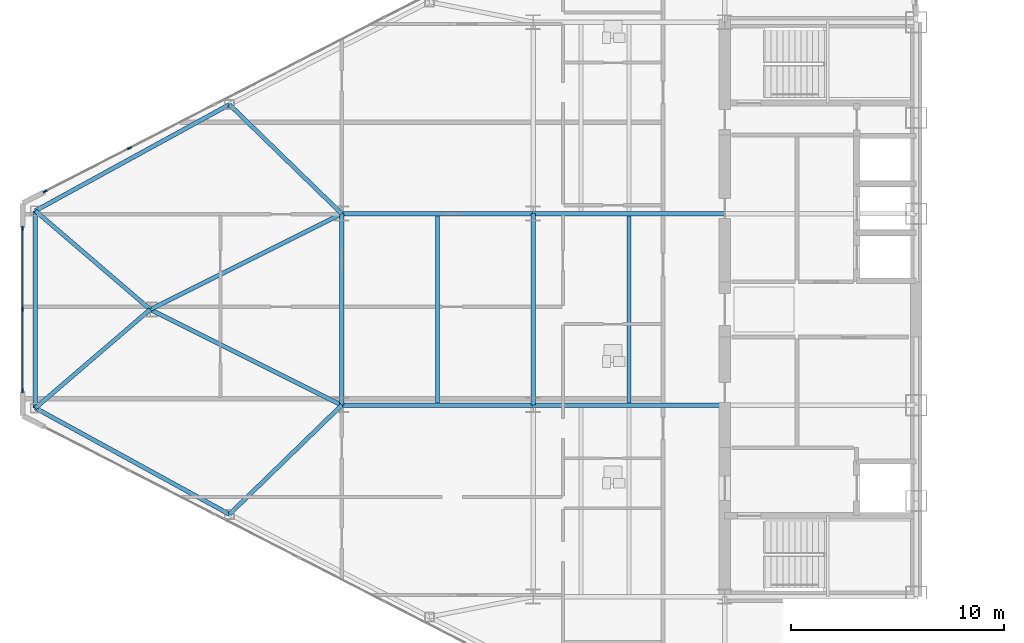
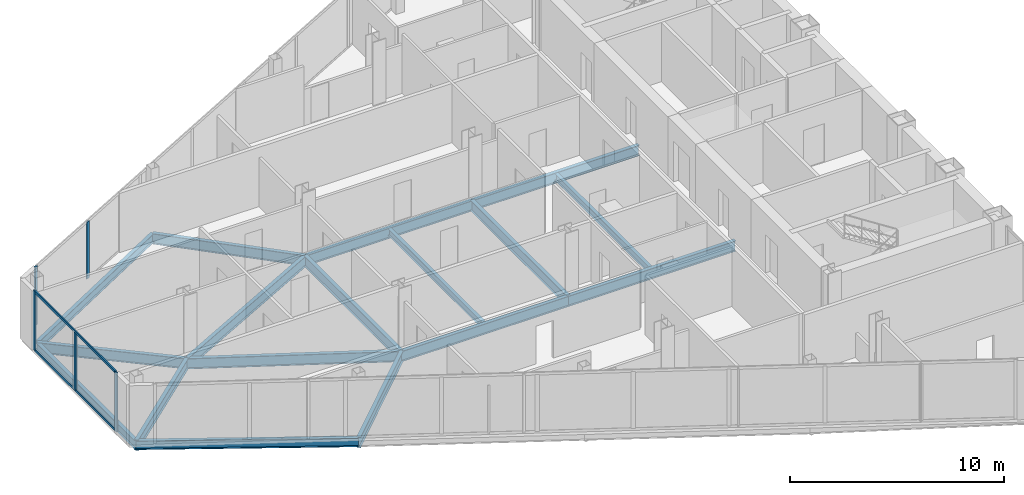
# One storey, part 4 of 23: 17 beams, 7 members, 2 elements without a shape of their own.
"""IFC4 building model written with IfcOpenShell, lengths in metres."""

from ifc_helpers import new_model, si_unit, direction, frame, origin, origin_2d, place, context, subcontext, project, spatial, rectangle, i_section, extrude, source, transform, mapped, material, layer, layer_set, material_profile, profile_set, type_object, type_shapes, element, aggregate, save


model = new_model("IFC4")

# Units and contexts
model_context = context("Model", 3, precision=1e-05, world=origin(), true_north=direction((0.0, 1.0)))
body_context = subcontext(model_context, "Body", "Model", "MODEL_VIEW")
ifc_project = project(units=[si_unit("LENGTHUNIT", "METRE"), si_unit("AREAUNIT", "SQUARE_METRE"), si_unit("VOLUMEUNIT", "CUBIC_METRE"), si_unit("PLANEANGLEUNIT", "RADIAN"), si_unit("MASSUNIT", "GRAM", prefix="KILO")], contexts=[model_context])

# Site, building, storey
site_placement = place(None, origin())
site = spatial("IfcSite", under=ifc_project, at=site_placement, CompositionType="ELEMENT")
building_placement = place(site_placement, origin())
building = spatial("IfcBuilding", under=site, at=building_placement, Name="Seokmaru Belvedere", CompositionType="ELEMENT")
storey_placement = place(building_placement, frame((0.0, 0.0, 154.800048828125)))
storey = spatial("IfcBuildingStorey", under=building, at=storey_placement, Name="L41", CompositionType="ELEMENT", Elevation=154.800048828125)

# Beams
ifc_material_1 = material(Name="Steel SM355 (355 MPa)", Category="steel")
ifc_material_profile_1 = material_profile(ifc_material_1, i_section(OverallWidth=0.199951171875, OverallDepth=0.60009765625, WebThickness=0.010986328125, FlangeThickness=0.01708984375, at=origin_2d()), Name="H-600x200x11x17")
ifc_profile_set_1 = profile_set([ifc_material_profile_1], Name="Steel SM355 (355 MPa)")
beam_type_1 = type_object("IfcBeamType", Name="Primary Floor Girder H-600", PredefinedType="BEAM", material=ifc_profile_set_1)
shared_shape_1 = source(origin(), body_context, "Body", "SweptSolid", [
    extrude(i_section(OverallWidth=0.199951171875, OverallDepth=0.60009765625, WebThickness=0.010986328125, FlangeThickness=0.01708984375, at=origin_2d()), origin(), (0.0, 0.0, 1.0), 9.0),
])
for number, where, z_axis, x_axis, name in (
    (1, (-45.5, -4.5, -0.52001953125), (0.0, 1.0, 0.0), (-1.0, 0.0, 0.0), "L41 W Interior Grid Girder 2"),
    (2, (-45.5, -4.5, -0.52001953125), (1.0, 0.0, 0.0), (0.0, 1.0, 0.0), "L41 W Wing Primary Girder 2"),
    (3, (-45.5, 4.5, -0.52001953125), (1.0, 0.0, 0.0), (0.0, 1.0, 0.0), "L41 W Wing Primary Girder 3"),
    (4, (-54.5, -4.5, -0.52001953125), (1.0, 0.0, 0.0), (0.0, 1.0, 0.0), "L41 W Outer Wing Girder 1"),
    (5, (-54.5, 4.5, -0.52001953125), (1.0, 0.0, 0.0), (0.0, 1.0, 0.0), "L41 W Outer Wing Girder 2"),
    (6, (-54.5, -4.5, -0.52001953125), (0.0, 1.0, 0.0), (-1.0, 0.0, 0.0), "L41 W Apex Frame Girder"),
):
    element("IfcBeam", number, at=place(storey_placement, frame(where, z_axis=z_axis, x_axis=x_axis)), inside=storey, type_object=beam_type_1, Name=name, PredefinedType="BEAM", context=body_context, shape_type="MappedRepresentation", body=[
        mapped(shared_shape_1, transform((0.0, 0.0, 0.0), scale=1.0)),
    ])
shared_shape_2 = source(origin(), body_context, "Body", "SweptSolid", [
    extrude(i_section(OverallWidth=0.199951171875, OverallDepth=0.60009765625, WebThickness=0.010986328125, FlangeThickness=0.01708984375, at=origin_2d()), origin(), (0.0, 0.0, 1.0), 10.062255859375),
])
for number, where, z_axis, x_axis, name in (
    (7, (-54.5, -4.5, -0.52001953125), (-0.894427191, 0.4472135955, 0.0), (-0.4472135955, -0.894427191, 0.0), "L41 W Apex Converging Girder 1"),
    (8, (-54.5, 4.5, -0.52001953125), (-0.894427191, -0.4472135955, 0.0), (0.4472135955, -0.894427191, 0.0), "L41 W Apex Converging Girder 2"),
):
    element("IfcBeam", number, at=place(storey_placement, frame(where, z_axis=z_axis, x_axis=x_axis)), inside=storey, type_object=beam_type_1, Name=name, PredefinedType="BEAM", context=body_context, shape_type="MappedRepresentation", body=[
        mapped(shared_shape_2, transform((0.0, 0.0, 0.0), scale=1.0)),
    ])
ifc_material_profile_2 = material_profile(ifc_material_1, i_section(OverallWidth=0.18505859375, OverallDepth=0.389892578125, WebThickness=0.008056640625, FlangeThickness=0.011962890625, at=origin_2d()), Name="H-390x185x8x12")
ifc_profile_set_2 = profile_set([ifc_material_profile_2], Name="Steel SM355 (355 MPa)")
beam_type_2 = type_object("IfcBeamType", Name="Secondary Floor Joist H-350", PredefinedType="JOIST", material=ifc_profile_set_2)
shared_shape_3 = source(origin(), body_context, "Body", "SweptSolid", [
    extrude(i_section(OverallWidth=0.18505859375, OverallDepth=0.389892578125, WebThickness=0.008056640625, FlangeThickness=0.011962890625, at=origin_2d()), origin(), (0.0, 0.0, 1.0), 8.7900390625),
])
type_shapes(beam_type_2, [shared_shape_3])
for number, where, z_axis, x_axis, name in (
    (9, (-41.0, -4.39501953125, -0.4150390625), (0.0, 1.0, 0.0), (-1.0, 0.0, 0.0), "L41 W Secondary Floor Joist 2"),
    (10, (-50.0, -4.39501953125, -0.4150390625), (0.0, 1.0, 0.0), (-1.0, 0.0, 0.0), "L41 W Outer Bay Secondary Joist"),
):
    element("IfcBeam", number, at=place(storey_placement, frame(where, z_axis=z_axis, x_axis=x_axis)), inside=storey, type_object=beam_type_2, Name=name, PredefinedType="JOIST", context=body_context, shape_type="MappedRepresentation", body=[
        mapped(shared_shape_3, transform((0.0, 0.0, 0.0), scale=1.0)),
    ])
ifc_material_profile_3 = material_profile(ifc_material_1, i_section(OverallWidth=0.199951171875, OverallDepth=0.5, WebThickness=0.010009765625, FlangeThickness=0.01611328125, at=origin_2d()), Name="H-500x200x10x16")
ifc_profile_set_3 = profile_set([ifc_material_profile_3], Name="Steel SM355 (355 MPa)")
beam_type_3 = type_object("IfcBeamType", Name="Perimeter Spandrel Beam H-500", PredefinedType="SPANDREL", material=ifc_profile_set_3)
shared_shape_4 = source(origin(), body_context, "Body", "SweptSolid", [
    extrude(i_section(OverallWidth=0.199951171875, OverallDepth=0.5, WebThickness=0.010009765625, FlangeThickness=0.01611328125, at=origin_2d()), origin(), (0.0, 0.0, 1.0), 10.399658203125),
])
for number, where, z_axis, x_axis, name in (
    (11, (-59.778564453125, -9.62890625, -0.469970703125), (-0.877082374422, 0.480339992587, 0.0), (-0.480339992587, -0.877082374422, 0.0), "L41 W Faceted Flank Spandrel S-4"),
    (12, (-59.778564453125, 9.62890625, -0.469970703125), (-0.877082374422, -0.480339992587, 0.0), (0.480339992587, -0.877082374422, 0.0), "L41 W Faceted Flank Spandrel N-4"),
):
    element("IfcBeam", number, at=place(storey_placement, frame(where, z_axis=z_axis, x_axis=x_axis)), inside=storey, type_object=beam_type_3, Name=name, PredefinedType="SPANDREL", context=body_context, shape_type="MappedRepresentation", body=[
        mapped(shared_shape_4, transform((0.0, 0.0, 0.0), scale=1.0)),
    ])
shared_shape_5 = source(origin(), body_context, "Body", "SweptSolid", [
    extrude(i_section(OverallWidth=0.199951171875, OverallDepth=0.5, WebThickness=0.010009765625, FlangeThickness=0.01611328125, at=origin_2d()), origin(), (0.0, 0.0, 1.0), 9.26708984375),
])
type_shapes(beam_type_3, [shared_shape_4, shared_shape_5])
beam_placement = place(storey_placement, frame((-68.89990234375, -4.633544921875, -0.469970703125), z_axis=(0.0, 1.0, 0.0), x_axis=(-1.0, 0.0, 0.0)))
element("IfcBeam", 13, at=beam_placement, inside=storey, type_object=beam_type_3, Name="L41 W Faceted Apex Spandrel", PredefinedType="SPANDREL", context=body_context, shape_type="MappedRepresentation", body=[
    mapped(shared_shape_5, transform((0.0, 0.0, 0.0), scale=1.0)),
])
shared_shape_6 = source(origin(), body_context, "Body", "SweptSolid", [
    extrude(i_section(OverallWidth=0.199951171875, OverallDepth=0.60009765625, WebThickness=0.010986328125, FlangeThickness=0.01708984375, at=origin_2d()), origin(), (0.0, 0.0, 1.0), 7.35986328125),
])
for number, where, z_axis, x_axis, name in (
    (14, (-59.778564453125, -9.62890625, -0.52001953125), (0.717200745515, 0.696866623273, 0.0), (-0.696866623273, 0.717200745515, 0.0), "L41 W Flank Radial Floor Girder S-3"),
    (15, (-59.778564453125, 9.62890625, -0.52001953125), (0.717200745515, -0.696866623273, 0.0), (0.696866623273, 0.717200745515, 0.0), "L41 W Flank Radial Floor Girder N-3"),
):
    element("IfcBeam", number, at=place(storey_placement, frame(where, z_axis=z_axis, x_axis=x_axis)), inside=storey, type_object=beam_type_1, Name=name, PredefinedType="BEAM", context=body_context, shape_type="MappedRepresentation", body=[
        mapped(shared_shape_6, transform((0.0, 0.0, 0.0), scale=1.0)),
    ])
shared_shape_7 = source(origin(), body_context, "Body", "SweptSolid", [
    extrude(i_section(OverallWidth=0.199951171875, OverallDepth=0.60009765625, WebThickness=0.010986328125, FlangeThickness=0.01708984375, at=origin_2d()), origin(), (0.0, 0.0, 1.0), 7.115478515625),
])
type_shapes(beam_type_1, [shared_shape_1, shared_shape_2, shared_shape_6, shared_shape_7])
for number, where, z_axis, x_axis, name in (
    (16, (-68.89990234375, -4.633544921875, -0.52001953125), (0.758905301881, 0.651201000289, 0.0), (-0.651201000289, 0.758905301881, 0.0), "L41 W Apex Radial Floor Girder 1"),
    (17, (-68.89990234375, 4.633544921875, -0.52001953125), (0.758905301881, -0.651201000289, 0.0), (0.651201000289, 0.758905301881, 0.0), "L41 W Apex Radial Floor Girder 2"),
):
    element("IfcBeam", number, at=place(storey_placement, frame(where, z_axis=z_axis, x_axis=x_axis)), inside=storey, type_object=beam_type_1, Name=name, PredefinedType="BEAM", context=body_context, shape_type="MappedRepresentation", body=[
        mapped(shared_shape_7, transform((0.0, 0.0, 0.0), scale=1.0)),
    ])

# Curtain wall, member
ifc_material_2 = material(Name="Bronze Triple Insulating Glass", Category="glass")
ifc_layer = layer(ifc_material_2, 0.195068359375)
ifc_layer_set = layer_set([ifc_layer], Name="Bronze Triple Insulating Glass")
curtain_wall_type = type_object("IfcCurtainWallType", Name="Sky-Lobby and Mid-Rise Curtain Wall System CW-4", PredefinedType="NOTDEFINED", material=ifc_layer_set)
curtain_wall_1_placement = place(storey_placement, origin())
curtain_wall_1 = element("IfcCurtainWall", 18, at=curtain_wall_1_placement, inside=storey, type_object=curtain_wall_type, Name="L41 Curtain Wall WF3", PredefinedType="NOTDEFINED")
ifc_material_3 = material(Name="Anodised Bronze Aluminium", Category="aluminium")
ifc_material_profile_4 = material_profile(ifc_material_3, rectangle(XDim=0.070068359375, YDim=0.195068359375, at=origin_2d()), Name="CW-M-70x195")
ifc_profile_set_4 = profile_set([ifc_material_profile_4], Name="Anodised Bronze Aluminium")
member_type_1 = type_object("IfcMemberType", Name="Bronze Unitised Mullion 70x195", PredefinedType="MULLION", material=ifc_profile_set_4)
shared_shape_8 = source(origin(), body_context, "Body", "SweptSolid", [
    extrude(rectangle(XDim=0.070068359375, YDim=0.195068359375, at=origin_2d()), origin(), (0.0, 0.0, 1.0), 3.3798828125),
])
member_1_placement = place(storey_placement, frame((-68.44580078125, 5.541015625, 0.0), z_axis=(0.0, 0.0, 1.0), x_axis=(0.456554528263, -0.889695432562, 0.0)))
member_1 = element("IfcMember", 19, at=member_1_placement, type_object=member_type_1, Name="CW:L41:WF3 Mullion 10", PredefinedType="MULLION", context=body_context, shape_type="MappedRepresentation", body=[
    mapped(shared_shape_8, transform((0.0, 0.0, 0.0), scale=1.0)),
])

# Curtain wall, members
curtain_wall_2_placement = place(storey_placement, origin())
curtain_wall_2 = element("IfcCurtainWall", 20, at=curtain_wall_2_placement, inside=storey, type_object=curtain_wall_type, Name="L41 Curtain Wall WF4", PredefinedType="NOTDEFINED")
member_2_placement = place(storey_placement, frame((-69.5, 3.81494140625, 0.0), z_axis=(0.0, 0.0, 1.0), x_axis=(1.0, 0.0, 0.0)))
member_2 = element("IfcMember", 21, at=member_2_placement, type_object=member_type_1, Name="CW:L41:WF4 Mullion 1", PredefinedType="MULLION", context=body_context, shape_type="MappedRepresentation", body=[
    mapped(shared_shape_8, transform((0.0, 0.0, 0.0), scale=1.0)),
])
member_3_placement = place(storey_placement, frame((-69.5, -3.81494140625, 0.0), z_axis=(0.0, 0.0, 1.0), x_axis=(1.0, 0.0, 0.0)))
member_3 = element("IfcMember", 22, at=member_3_placement, type_object=member_type_1, Name="CW:L41:WF4 Mullion 3", PredefinedType="MULLION", context=body_context, shape_type="MappedRepresentation", body=[
    mapped(shared_shape_8, transform((0.0, 0.0, 0.0), scale=1.0)),
])

# Member
shared_shape_9 = source(origin(), body_context, "Body", "SweptSolid", [
    extrude(rectangle(XDim=0.070068359375, YDim=0.195068359375, at=origin_2d()), origin(), (0.0, 0.0, 1.0), 3.25),
])
type_shapes(member_type_1, [shared_shape_8, shared_shape_9])
member_4_placement = place(storey_placement, frame((-64.48193359375, 7.574951171875, 0.06494140625), z_axis=(0.0, 0.0, 1.0), x_axis=(0.456554528263, -0.889695432562, 0.0)))
member_4 = element("IfcMember", 23, at=member_4_placement, type_object=member_type_1, Name="CW:L41:WF3 Mullion 9", PredefinedType="MULLION", context=body_context, shape_type="MappedRepresentation", body=[
    mapped(shared_shape_9, transform((0.0, 0.0, 0.0), scale=1.0)),
])

aggregate(curtain_wall_1, [member_4, member_1])

member_5_placement = place(storey_placement, frame((-69.5, 0.0, 0.06494140625), z_axis=(0.0, 0.0, 1.0), x_axis=(1.0, 0.0, 0.0)))
member_5 = element("IfcMember", 24, at=member_5_placement, type_object=member_type_1, Name="CW:L41:WF4 Mullion 2", PredefinedType="MULLION", context=body_context, shape_type="MappedRepresentation", body=[
    mapped(shared_shape_9, transform((0.0, 0.0, 0.0), scale=1.0)),
])

ifc_material_profile_5 = material_profile(ifc_material_3, rectangle(XDim=0.06494140625, YDim=0.14990234375, at=origin_2d()), Name="CW-T-65x150")
ifc_profile_set_5 = profile_set([ifc_material_profile_5], Name="Anodised Bronze Aluminium")
member_type_2 = type_object("IfcMemberType", Name="Bronze Unitised Transom 65x150", PredefinedType="USERDEFINED", material=ifc_profile_set_5)
shared_shape_10 = source(origin(), body_context, "Body", "SweptSolid", [
    extrude(rectangle(XDim=0.06494140625, YDim=0.14990234375, at=origin_2d()), origin(), (0.0, 0.0, 1.0), 7.56005859375),
])
type_shapes(member_type_2, [shared_shape_10])
member_6_placement = place(storey_placement, frame((-69.5, 3.780029296875, 0.032470703125), z_axis=(0.0, -1.0, 0.0), x_axis=(1.0, 0.0, 0.0)))
member_6 = element("IfcMember", 25, at=member_6_placement, type_object=member_type_2, Name="CW:L41:WF4 Continuous Transom 1", ObjectType="TRANSOM", PredefinedType="USERDEFINED", context=body_context, shape_type="MappedRepresentation", body=[
    mapped(shared_shape_10, transform((0.0, 0.0, 0.0), scale=1.0)),
])

member_7_placement = place(storey_placement, frame((-69.5, 3.780029296875, 3.347412109375), z_axis=(0.0, -1.0, 0.0), x_axis=(1.0, 0.0, 0.0)))
member_7 = element("IfcMember", 26, at=member_7_placement, type_object=member_type_2, Name="CW:L41:WF4 Continuous Transom 2", ObjectType="TRANSOM", PredefinedType="USERDEFINED", context=body_context, shape_type="MappedRepresentation", body=[
    mapped(shared_shape_10, transform((0.0, 0.0, 0.0), scale=1.0)),
])

aggregate(curtain_wall_2, [member_2, member_5, member_3, member_6, member_7])

save(model, "model.ifc")
